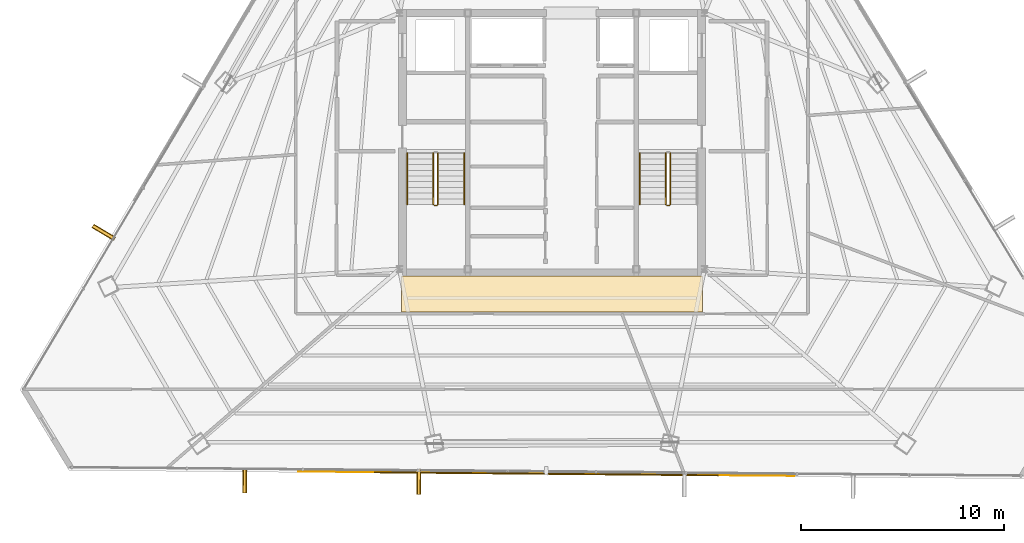
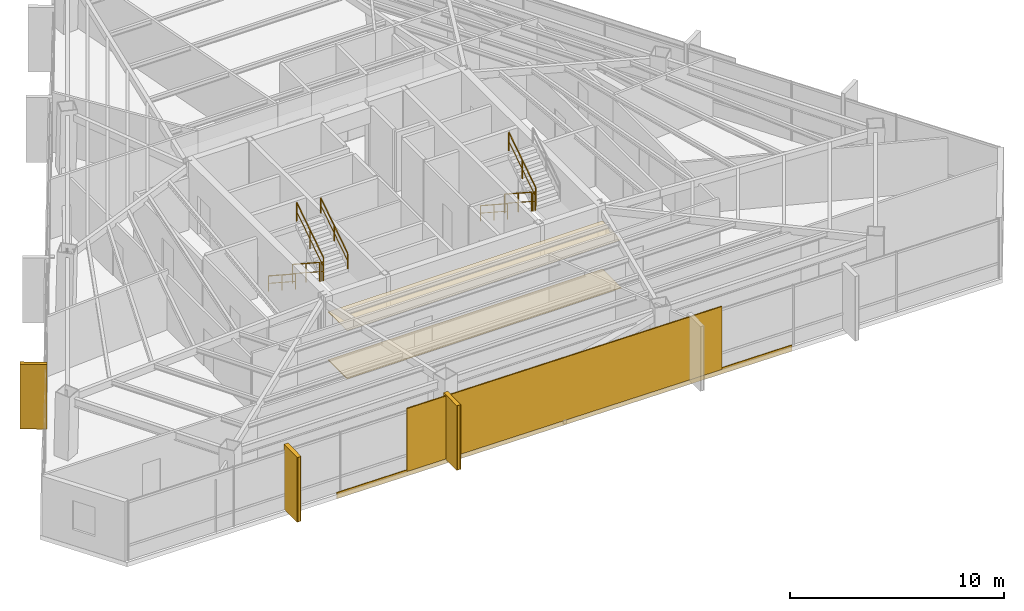
# One storey, part 45 of 47: 9 railings, 6 coverings, 4 shading devices.
"""IFC4 building model written with IfcOpenShell, lengths in metres."""

from ifc_helpers import new_model, si_unit, direction, frame, origin, origin_2d, place, context, subcontext, project, spatial, polyline, rectangle, outline, extrude, source, transform, mapped, material, layer, layer_set, type_object, type_shapes, element, save


model = new_model("IFC4")

# Units and contexts
model_context = context("Model", 3, precision=1e-05, world=origin(), true_north=direction((0.0, 1.0)))
body_context = subcontext(model_context, "Body", "Model", "MODEL_VIEW")
ifc_project = project(units=[si_unit("LENGTHUNIT", "METRE"), si_unit("AREAUNIT", "SQUARE_METRE"), si_unit("VOLUMEUNIT", "CUBIC_METRE"), si_unit("PLANEANGLEUNIT", "RADIAN"), si_unit("MASSUNIT", "GRAM", prefix="KILO")], contexts=[model_context])

# Site, building, storey
site_placement = place(None, origin())
site = spatial("IfcSite", under=ifc_project, at=site_placement, CompositionType="ELEMENT")
building_placement = place(site_placement, origin())
building = spatial("IfcBuilding", under=site, at=building_placement, Name="Caelisora Broadcast Tower", CompositionType="ELEMENT")
storey_placement = place(building_placement, frame((0.0, 0.0, 229.85009765625)))
storey = spatial("IfcBuildingStorey", under=building, at=storey_placement, Name="L60", CompositionType="ELEMENT", Elevation=229.85009765625)

# Coverings
ifc_material_1 = material(Name="Perforated Mineral-Fibre Acoustic Ceiling Tile", Category="gypsum")
ifc_layer_1 = layer(ifc_material_1, 0.034912109375, Name="Perforated Mineral-Fibre Acoustic Ceiling Tile")
ifc_layer_set_1 = layer_set([ifc_layer_1], Name="Perforated Mineral-Fibre Acoustic Ceiling Tile")
covering_type_1 = type_object("IfcCoveringType", Name="CE-1", PredefinedType="CEILING", material=ifc_layer_set_1)
covering_1_placement = place(storey_placement, frame((0.0, 0.0, 2.75)))
element("IfcCovering", 1, at=covering_1_placement, inside=storey, type_object=covering_type_1, Name="L60 acoustic corridor ceiling CE-1 (S)", PredefinedType="CEILING", context=body_context, shape_type="SweptSolid", body=[
    extrude(outline(polyline([(30.60009765625, 15.300048828125), (45.39990234375, 15.300048828125), (45.39990234375, 17.050048828125), (30.60009765625, 17.050048828125), (30.60009765625, 15.300048828125)])), origin(), (0.0, 0.0, 1.0), 0.034912109375),
])
ifc_material_2 = material(Name="Anti-Static Broadcast Raised Access Floor Panel", Category="steel")
ifc_layer_2 = layer(ifc_material_2, 0.044921875, Name="Anti-Static Broadcast Raised Access Floor Panel")
ifc_layer_set_2 = layer_set([ifc_layer_2], Name="Anti-Static Broadcast Raised Access Floor Panel")
covering_type_2 = type_object("IfcCoveringType", Name="FL-1", PredefinedType="FLOORING", material=ifc_layer_set_2)
covering_2_placement = place(storey_placement, origin())
element("IfcCovering", 2, at=covering_2_placement, inside=storey, type_object=covering_type_2, Name="L60 broadcast raised access floor FL-1 (S)", PredefinedType="FLOORING", context=body_context, shape_type="SweptSolid", body=[
    extrude(outline(polyline([(30.60009765625, 15.300048828125), (45.39990234375, 15.300048828125), (45.39990234375, 17.050048828125), (30.60009765625, 17.050048828125), (30.60009765625, 15.300048828125)])), origin(), (0.0, 0.0, 1.0), 0.044921875),
])

# Railings
ifc_material_3 = material(Name="Galvanised Steel Safety Guardrail", Category="steel")
ifc_layer_3 = layer(ifc_material_3, 0.048095703125, Name="Galvanised Steel Safety Guardrail")
ifc_layer_set_3 = layer_set([ifc_layer_3], Name="Galvanised Steel Safety Guardrail")
railing_type_1 = type_object("IfcRailingType", Name="GR-1", PredefinedType="GUARDRAIL", material=ifc_layer_set_3)
railing_1_placement = place(storey_placement, frame((32.169921875, 23.10009765625, 0.182373046875)))
element("IfcRailing", 3, at=railing_1_placement, inside=storey, type_object=railing_type_1, Name="L60 ST-1 stair guard 1", PredefinedType="GUARDRAIL", context=body_context, shape_type="SweptSolid", body=[
    extrude(rectangle(XDim=0.048095703125, YDim=0.048095703125, at=origin_2d()), frame((0.0, 0.0, 1.076171875), z_axis=(0.0, -0.837749427056, 0.546054848405), x_axis=(1.0, 0.0, 0.0)), (0.0, 0.0, 1.0), 3.008056640625),
    extrude(rectangle(XDim=0.03125, YDim=0.03125, at=origin_2d()), frame((0.0, 0.0, 0.550048828125), z_axis=(0.0, -0.837749427056, 0.546054848405), x_axis=(1.0, 0.0, 0.0)), (0.0, 0.0, 1.0), 3.008056640625),
    extrude(rectangle(XDim=0.0419921875, YDim=0.0419921875, at=origin_2d()), origin(), (0.0, 0.0, 1.0), 1.052001953125),
    extrude(rectangle(XDim=0.0419921875, YDim=0.0419921875, at=origin_2d()), frame((0.0, -1.260009765625, 0.8212890625)), (0.0, 0.0, 1.0), 1.052001953125),
    extrude(rectangle(XDim=0.0419921875, YDim=0.0419921875, at=origin_2d()), frame((0.0, -2.52001953125, 1.642578125)), (0.0, 0.0, 1.0), 1.052001953125),
])
railing_2_placement = place(storey_placement, frame((32.219970703125, 20.530029296875, 1.824951171875)))
element("IfcRailing", 4, at=railing_2_placement, inside=storey, type_object=railing_type_1, Name="L60 ST-1 stair guard 2", PredefinedType="GUARDRAIL", context=body_context, shape_type="SweptSolid", body=[
    extrude(rectangle(XDim=0.048095703125, YDim=0.048095703125, at=origin_2d()), frame((0.0, 0.0, 1.076171875), z_axis=(1.0, 0.0, 0.0), x_axis=(0.0, 1.0, 0.0)), (0.0, 0.0, 1.0), 0.1201171875),
    extrude(rectangle(XDim=0.03125, YDim=0.03125, at=origin_2d()), frame((0.0, 0.0, 0.550048828125), z_axis=(1.0, 0.0, 0.0), x_axis=(0.0, 1.0, 0.0)), (0.0, 0.0, 1.0), 0.1201171875),
    extrude(rectangle(XDim=0.0419921875, YDim=0.0419921875, at=origin_2d()), origin(), (0.0, 0.0, 1.0), 1.052001953125),
    extrude(rectangle(XDim=0.0419921875, YDim=0.0419921875, at=origin_2d()), frame((0.1201171875, 0.0, 0.0)), (0.0, 0.0, 1.0), 1.052001953125),
])
railing_3_placement = place(storey_placement, frame((32.389892578125, 20.580078125, 2.00732421875)))
element("IfcRailing", 5, at=railing_3_placement, inside=storey, type_object=railing_type_1, Name="L60 ST-1 stair guard 3", PredefinedType="GUARDRAIL", context=body_context, shape_type="SweptSolid", body=[
    extrude(rectangle(XDim=0.048095703125, YDim=0.048095703125, at=origin_2d()), frame((0.0, 0.0, 1.076171875), z_axis=(0.0, 0.837749427056, 0.546054848405), x_axis=(-1.0, 0.0, 0.0)), (0.0, 0.0, 1.0), 3.008056640625),
    extrude(rectangle(XDim=0.03125, YDim=0.03125, at=origin_2d()), frame((0.0, 0.0, 0.550048828125), z_axis=(0.0, 0.837749427056, 0.546054848405), x_axis=(-1.0, 0.0, 0.0)), (0.0, 0.0, 1.0), 3.008056640625),
    extrude(rectangle(XDim=0.0419921875, YDim=0.0419921875, at=origin_2d()), origin(), (0.0, 0.0, 1.0), 1.052001953125),
    extrude(rectangle(XDim=0.0419921875, YDim=0.0419921875, at=origin_2d()), frame((0.0, 1.260009765625, 0.8212890625)), (0.0, 0.0, 1.0), 1.052001953125),
    extrude(rectangle(XDim=0.0419921875, YDim=0.0419921875, at=origin_2d()), frame((0.0, 2.52001953125, 1.642578125)), (0.0, 0.0, 1.0), 1.052001953125),
])
railing_4_placement = place(storey_placement, frame((43.610107421875, 23.10009765625, 0.182373046875)))
element("IfcRailing", 6, at=railing_4_placement, inside=storey, type_object=railing_type_1, Name="L60 ST-2 stair guard 1", PredefinedType="GUARDRAIL", context=body_context, shape_type="SweptSolid", body=[
    extrude(rectangle(XDim=0.048095703125, YDim=0.048095703125, at=origin_2d()), frame((0.0, 0.0, 1.076171875), z_axis=(0.0, -0.837749427056, 0.546054848405), x_axis=(1.0, 0.0, 0.0)), (0.0, 0.0, 1.0), 3.008056640625),
    extrude(rectangle(XDim=0.03125, YDim=0.03125, at=origin_2d()), frame((0.0, 0.0, 0.550048828125), z_axis=(0.0, -0.837749427056, 0.546054848405), x_axis=(1.0, 0.0, 0.0)), (0.0, 0.0, 1.0), 3.008056640625),
    extrude(rectangle(XDim=0.0419921875, YDim=0.0419921875, at=origin_2d()), origin(), (0.0, 0.0, 1.0), 1.052001953125),
    extrude(rectangle(XDim=0.0419921875, YDim=0.0419921875, at=origin_2d()), frame((0.0, -1.260009765625, 0.8212890625)), (0.0, 0.0, 1.0), 1.052001953125),
    extrude(rectangle(XDim=0.0419921875, YDim=0.0419921875, at=origin_2d()), frame((0.0, -2.52001953125, 1.642578125)), (0.0, 0.0, 1.0), 1.052001953125),
])
railing_5_placement = place(storey_placement, frame((43.659912109375, 20.530029296875, 1.824951171875)))
element("IfcRailing", 7, at=railing_5_placement, inside=storey, type_object=railing_type_1, Name="L60 ST-2 stair guard 2", PredefinedType="GUARDRAIL", context=body_context, shape_type="SweptSolid", body=[
    extrude(rectangle(XDim=0.048095703125, YDim=0.048095703125, at=origin_2d()), frame((0.0, 0.0, 1.076171875), z_axis=(1.0, 0.0, 0.0), x_axis=(0.0, 1.0, 0.0)), (0.0, 0.0, 1.0), 0.1201171875),
    extrude(rectangle(XDim=0.03125, YDim=0.03125, at=origin_2d()), frame((0.0, 0.0, 0.550048828125), z_axis=(1.0, 0.0, 0.0), x_axis=(0.0, 1.0, 0.0)), (0.0, 0.0, 1.0), 0.1201171875),
    extrude(rectangle(XDim=0.0419921875, YDim=0.0419921875, at=origin_2d()), origin(), (0.0, 0.0, 1.0), 1.052001953125),
    extrude(rectangle(XDim=0.0419921875, YDim=0.0419921875, at=origin_2d()), frame((0.1201171875, 0.0, 0.0)), (0.0, 0.0, 1.0), 1.052001953125),
])
railing_6_placement = place(storey_placement, frame((43.830078125, 20.580078125, 2.00732421875)))
element("IfcRailing", 8, at=railing_6_placement, inside=storey, type_object=railing_type_1, Name="L60 ST-2 stair guard 3", PredefinedType="GUARDRAIL", context=body_context, shape_type="SweptSolid", body=[
    extrude(rectangle(XDim=0.048095703125, YDim=0.048095703125, at=origin_2d()), frame((0.0, 0.0, 1.076171875), z_axis=(0.0, 0.837749427056, 0.546054848405), x_axis=(-1.0, 0.0, 0.0)), (0.0, 0.0, 1.0), 3.008056640625),
    extrude(rectangle(XDim=0.03125, YDim=0.03125, at=origin_2d()), frame((0.0, 0.0, 0.550048828125), z_axis=(0.0, 0.837749427056, 0.546054848405), x_axis=(-1.0, 0.0, 0.0)), (0.0, 0.0, 1.0), 3.008056640625),
    extrude(rectangle(XDim=0.0419921875, YDim=0.0419921875, at=origin_2d()), origin(), (0.0, 0.0, 1.0), 1.052001953125),
    extrude(rectangle(XDim=0.0419921875, YDim=0.0419921875, at=origin_2d()), frame((0.0, 1.260009765625, 0.8212890625)), (0.0, 0.0, 1.0), 1.052001953125),
    extrude(rectangle(XDim=0.0419921875, YDim=0.0419921875, at=origin_2d()), frame((0.0, 2.52001953125, 1.642578125)), (0.0, 0.0, 1.0), 1.052001953125),
])
ifc_material_4 = material(Name="Stainless Steel Grade 316 Tubular Handrail", Category="steel")
ifc_layer_4 = layer(ifc_material_4, 0.048095703125, Name="Stainless Steel Grade 316 Tubular Handrail")
ifc_layer_set_4 = layer_set([ifc_layer_4], Name="Stainless Steel Grade 316 Tubular Handrail")
railing_type_2 = type_object("IfcRailingType", Name="HR-1", PredefinedType="HANDRAIL", material=ifc_layer_set_4)
railing_7_placement = place(storey_placement, frame((30.8701171875, 23.10009765625, 0.182373046875)))
element("IfcRailing", 9, at=railing_7_placement, inside=storey, type_object=railing_type_2, Name="L60 ST-1 stair handrail 1", PredefinedType="HANDRAIL", context=body_context, shape_type="SweptSolid", body=[
    extrude(rectangle(XDim=0.048095703125, YDim=0.048095703125, at=origin_2d()), frame((0.0, 0.0, 0.8759765625), z_axis=(0.0, -0.837749427056, 0.546054848405), x_axis=(1.0, 0.0, 0.0)), (0.0, 0.0, 1.0), 3.008056640625),
    extrude(rectangle(XDim=0.03125, YDim=0.03125, at=origin_2d()), frame((0.0, 0.0, 0.449951171875), z_axis=(0.0, -0.837749427056, 0.546054848405), x_axis=(1.0, 0.0, 0.0)), (0.0, 0.0, 1.0), 3.008056640625),
    extrude(rectangle(XDim=0.0419921875, YDim=0.0419921875, at=origin_2d()), origin(), (0.0, 0.0, 1.0), 0.851806640625),
    extrude(rectangle(XDim=0.0419921875, YDim=0.0419921875, at=origin_2d()), frame((0.0, -1.260009765625, 0.8212890625)), (0.0, 0.0, 1.0), 0.851806640625),
    extrude(rectangle(XDim=0.0419921875, YDim=0.0419921875, at=origin_2d()), frame((0.0, -2.52001953125, 1.642578125)), (0.0, 0.0, 1.0), 0.851806640625),
])
railing_8_placement = place(storey_placement, frame((33.68994140625, 20.580078125, 2.00732421875)))
element("IfcRailing", 10, at=railing_8_placement, inside=storey, type_object=railing_type_2, Name="L60 ST-1 stair handrail 2", PredefinedType="HANDRAIL", context=body_context, shape_type="SweptSolid", body=[
    extrude(rectangle(XDim=0.048095703125, YDim=0.048095703125, at=origin_2d()), frame((0.0, 0.0, 0.8759765625), z_axis=(0.0, 0.837749427056, 0.546054848405), x_axis=(-1.0, 0.0, 0.0)), (0.0, 0.0, 1.0), 3.008056640625),
    extrude(rectangle(XDim=0.03125, YDim=0.03125, at=origin_2d()), frame((0.0, 0.0, 0.449951171875), z_axis=(0.0, 0.837749427056, 0.546054848405), x_axis=(-1.0, 0.0, 0.0)), (0.0, 0.0, 1.0), 3.008056640625),
    extrude(rectangle(XDim=0.0419921875, YDim=0.0419921875, at=origin_2d()), origin(), (0.0, 0.0, 1.0), 0.851806640625),
    extrude(rectangle(XDim=0.0419921875, YDim=0.0419921875, at=origin_2d()), frame((0.0, 1.260009765625, 0.8212890625)), (0.0, 0.0, 1.0), 0.851806640625),
    extrude(rectangle(XDim=0.0419921875, YDim=0.0419921875, at=origin_2d()), frame((0.0, 2.52001953125, 1.642578125)), (0.0, 0.0, 1.0), 0.851806640625),
])
railing_9_placement = place(storey_placement, frame((42.31005859375, 23.10009765625, 0.182373046875)))
element("IfcRailing", 11, at=railing_9_placement, inside=storey, type_object=railing_type_2, Name="L60 ST-2 stair handrail 1", PredefinedType="HANDRAIL", context=body_context, shape_type="SweptSolid", body=[
    extrude(rectangle(XDim=0.048095703125, YDim=0.048095703125, at=origin_2d()), frame((0.0, 0.0, 0.8759765625), z_axis=(0.0, -0.837749427056, 0.546054848405), x_axis=(1.0, 0.0, 0.0)), (0.0, 0.0, 1.0), 3.008056640625),
    extrude(rectangle(XDim=0.03125, YDim=0.03125, at=origin_2d()), frame((0.0, 0.0, 0.449951171875), z_axis=(0.0, -0.837749427056, 0.546054848405), x_axis=(1.0, 0.0, 0.0)), (0.0, 0.0, 1.0), 3.008056640625),
    extrude(rectangle(XDim=0.0419921875, YDim=0.0419921875, at=origin_2d()), origin(), (0.0, 0.0, 1.0), 0.851806640625),
    extrude(rectangle(XDim=0.0419921875, YDim=0.0419921875, at=origin_2d()), frame((0.0, -1.260009765625, 0.8212890625)), (0.0, 0.0, 1.0), 0.851806640625),
    extrude(rectangle(XDim=0.0419921875, YDim=0.0419921875, at=origin_2d()), frame((0.0, -2.52001953125, 1.642578125)), (0.0, 0.0, 1.0), 0.851806640625),
])

# Coverings
ifc_material_5 = material(Name="Kiln-Fired Terracotta Spandrel Rainscreen Cladding", Category="ceramic")
ifc_layer_5 = layer(ifc_material_5, 0.044921875, Name="Kiln-Fired Terracotta Spandrel Rainscreen Cladding")
ifc_layer_set_5 = layer_set([ifc_layer_5], Name="Kiln-Fired Terracotta Spandrel Rainscreen Cladding")
covering_type_3 = type_object("IfcCoveringType", Name="CL-1", PredefinedType="CLADDING", material=ifc_layer_set_5)
shared_shape_1 = source(origin(), body_context, "Body", "SweptSolid", [
    extrude(rectangle(XDim=0.219970703125, YDim=1.25, at=origin_2d()), origin(), (0.0, 0.0, 1.0), 3.68994140625),
])
for number, where, z_axis, x_axis, name in (
    (12, (31.447998046875, 6.93310546875, -0.02001953125), (0.0, 0.0, 1.0), (-0.999960384766, 0.008901061644, 0.0), "L60 vertical solar fin cladding #2-3"),
    (13, (22.882080078125, 7.009033203125, -0.02001953125), (0.0, 0.0, 1.0), (-0.999960384766, 0.008901061644, 0.0), "L60 vertical solar fin cladding #2-4"),
    (14, (15.943603515625, 19.206787109375, -0.02001953125), (0.0, 0.0, 1.0), (0.510843031866, 0.859674006117, 0.0), "L60 vertical solar fin cladding #3-1"),
):
    element("IfcCovering", number, at=place(storey_placement, frame(where, z_axis=z_axis, x_axis=x_axis)), inside=storey, type_object=covering_type_3, Name=name, PredefinedType="CLADDING", context=body_context, shape_type="MappedRepresentation", body=[
        mapped(shared_shape_1, transform((0.0, 0.0, 0.0), scale=1.0)),
    ])

# Shading devices
ifc_material_6 = material(Name="Extruded Terracotta Flaring Colonnade Fin", Category="ceramic")
ifc_layer_6 = layer(ifc_material_6, 0.139892578125, Name="Extruded Terracotta Flaring Colonnade Fin")
ifc_layer_set_6 = layer_set([ifc_layer_6], Name="Extruded Terracotta Flaring Colonnade Fin")
shading_device_type_1 = type_object("IfcShadingDeviceType", Name="FN-1", PredefinedType="USERDEFINED", material=ifc_layer_set_6)
shared_shape_2 = source(origin(), body_context, "Body", "SweptSolid", [
    extrude(rectangle(XDim=0.139892578125, YDim=1.25, at=origin_2d()), origin(), (0.0, 0.0, 1.0), 3.669921875),
])
type_shapes(shading_device_type_1, [shared_shape_2])
for number, where, z_axis, x_axis, name in (
    (15, (31.447998046875, 6.93310546875, -0.010009765625), (0.0, 0.0, 1.0), (-0.999960384766, 0.008901061644, 0.0), "L60 vertical terracotta fin #2-3"),
    (16, (22.882080078125, 7.009033203125, -0.010009765625), (0.0, 0.0, 1.0), (-0.999960384766, 0.008901061644, 0.0), "L60 vertical terracotta fin #2-4"),
    (17, (15.943603515625, 19.206787109375, -0.010009765625), (0.0, 0.0, 1.0), (0.510843031866, 0.859674006117, 0.0), "L60 vertical terracotta fin #3-1"),
):
    element("IfcShadingDevice", number, at=place(storey_placement, frame(where, z_axis=z_axis, x_axis=x_axis)), inside=storey, type_object=shading_device_type_1, Name=name, ObjectType="FIN", PredefinedType="USERDEFINED", context=body_context, shape_type="MappedRepresentation", body=[
        mapped(shared_shape_2, transform((0.0, 0.0, 0.0), scale=1.0)),
    ])
ifc_material_7 = material(Name="Perforated Glazed Terracotta Baguette Solar Screen", Category="ceramic")
ifc_layer_7 = layer(ifc_material_7, 0.06494140625, Name="Perforated Glazed Terracotta Baguette Solar Screen")
ifc_layer_set_7 = layer_set([ifc_layer_7], Name="Perforated Glazed Terracotta Baguette Solar Screen")
shading_device_type_2 = type_object("IfcShadingDeviceType", Name="SS-1", PredefinedType="USERDEFINED", material=ifc_layer_set_7)
shared_shape_3 = source(origin(), body_context, "Body", "SweptSolid", [
    extrude(rectangle(XDim=16.909912109375, YDim=0.06494140625, at=origin_2d()), origin(), (0.0, 0.0, 1.0), 3.590087890625),
])
type_shapes(shading_device_type_2, [shared_shape_3])
shading_device_placement = place(storey_placement, frame((37.721435546875, 7.327392578125, 0.0), z_axis=(0.0, 0.0, 1.0), x_axis=(0.999960384766, -0.008901061644, 0.0)))
element("IfcShadingDevice", 18, at=shading_device_placement, inside=storey, type_object=shading_device_type_2, Name="L60 perforated terracotta solar screen #2", ObjectType="SOLAR SCREEN", PredefinedType="USERDEFINED", context=body_context, shape_type="MappedRepresentation", body=[
    mapped(shared_shape_3, transform((0.0, 0.0, 0.0), scale=1.0)),
])

# Covering
shared_shape_4 = source(origin(), body_context, "Body", "SweptSolid", [
    extrude(rectangle(XDim=24.425048828125, YDim=0.044921875, at=origin_2d()), origin(), (0.0, 0.0, 1.0), 0.340087890625),
])
type_shapes(covering_type_3, [shared_shape_1, shared_shape_4])
covering_3_placement = place(storey_placement, frame((37.721435546875, 7.347412109375, -0.27001953125), z_axis=(0.0, 0.0, 1.0), x_axis=(0.999960384766, -0.008901061644, 0.0)))
element("IfcCovering", 19, at=covering_3_placement, inside=storey, type_object=covering_type_3, Name="L60 terracotta spandrel rainscreen #2", PredefinedType="CLADDING", context=body_context, shape_type="MappedRepresentation", body=[
    mapped(shared_shape_4, transform((0.0, 0.0, 0.0), scale=1.0)),
])

save(model, "model.ifc")
